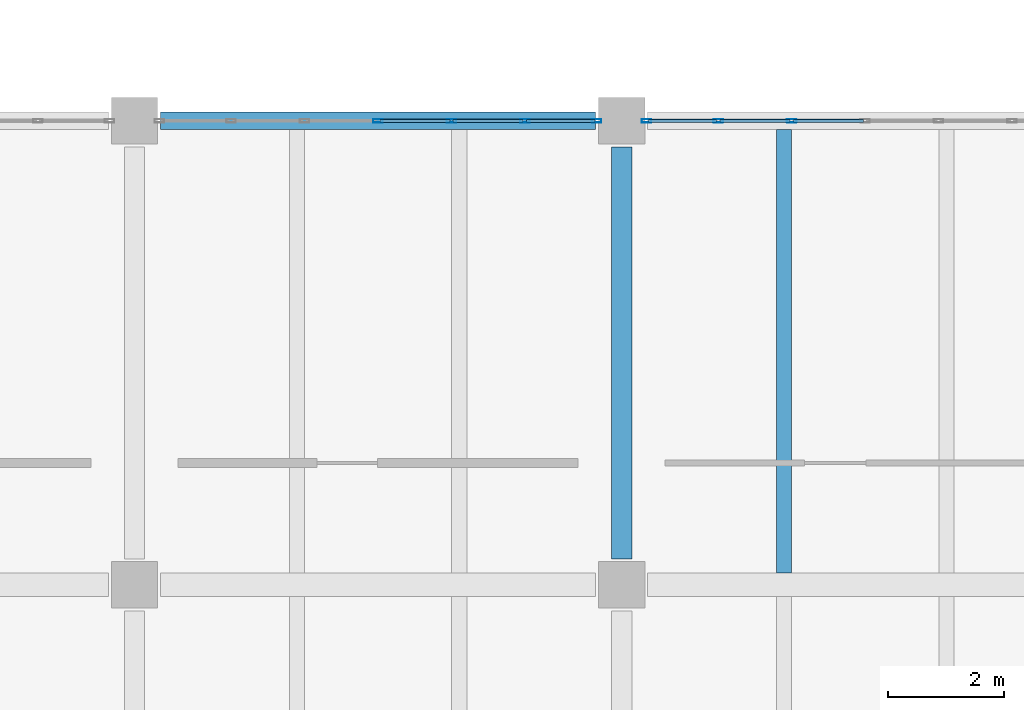
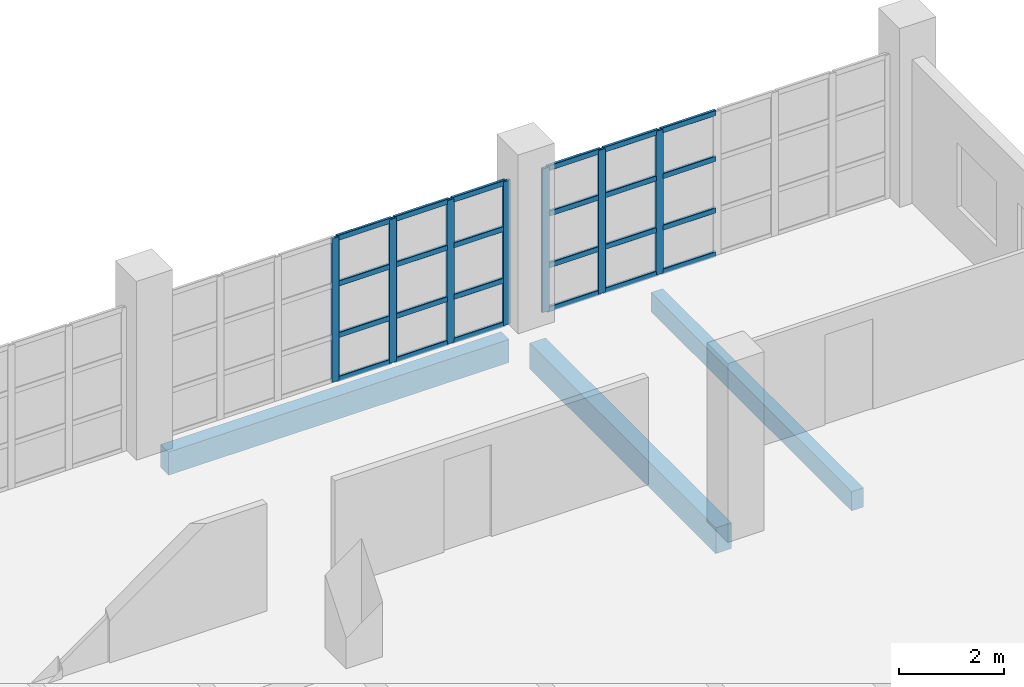
# One storey, part 47 of 177: 31 members, 3 beams, 2 elements without a shape of their own.
"""IFC4 building model written with IfcOpenShell, lengths in metres."""

from ifc_helpers import new_model, si_unit, direction, frame, origin, origin_2d, place, context, subcontext, project, spatial, rectangle, hollow_rectangle, extrude, material, layer, layer_set, material_profile, profile_set, type_object, element, aggregate, save


model = new_model("IFC4")

# Units and contexts
model_context = context("Model", 3, precision=1e-05, world=origin(), true_north=direction((0.0, 1.0)))
body_context = subcontext(model_context, "Body", "Model", "MODEL_VIEW")
ifc_project = project(units=[si_unit("LENGTHUNIT", "METRE"), si_unit("AREAUNIT", "SQUARE_METRE"), si_unit("VOLUMEUNIT", "CUBIC_METRE"), si_unit("PLANEANGLEUNIT", "RADIAN"), si_unit("MASSUNIT", "GRAM", prefix="KILO"), si_unit("THERMODYNAMICTEMPERATUREUNIT", "KELVIN"), si_unit("POWERUNIT", "WATT")], contexts=[model_context])

# Site, building, storey
site_placement = place(None, origin())
site = spatial("IfcSite", under=ifc_project, at=site_placement, CompositionType="ELEMENT")
building_placement = place(site_placement, origin())
building = spatial("IfcBuilding", under=site, at=building_placement, Name="Mavoryth Pier Ferry Terminal", CompositionType="ELEMENT")
storey_placement = place(building_placement, frame((0.0, 0.0, 5.43994140625)))
storey = spatial("IfcBuildingStorey", under=building, at=storey_placement, Name="L01", CompositionType="ELEMENT", Elevation=5.43994140625)

# Beams
ifc_material_1 = material(Name="Concrete C35/45", Category="concrete")
ifc_material_profile_1 = material_profile(ifc_material_1, rectangle(XDim=0.35009765625, YDim=0.60009765625, at=origin_2d()), Name="RC 350x600", Category="concrete")
ifc_profile_set_1 = profile_set([ifc_material_profile_1], Name="Concrete C35/45 - RC 350x600")
beam_type_1 = type_object("IfcBeamType", Name="Girder-RC-350x600", PredefinedType="BEAM", material=ifc_profile_set_1)
beam_1_placement = place(storey_placement, frame((84.0, 14.449951171875, -0.56005859375), z_axis=(0.0, 1.0, 0.0), x_axis=(-1.0, 0.0, 0.0)))
element("IfcBeam", 1, at=beam_1_placement, inside=storey, type_object=beam_type_1, Name="Beam B01-BG08-0551", PredefinedType="BEAM", context=body_context, shape_type="SweptSolid", body=[
    extrude(rectangle(XDim=0.35009765625, YDim=0.60009765625, at=origin_2d()), origin(), (0.0, 0.0, 1.0), 7.10009765625),
])
ifc_material_profile_2 = material_profile(ifc_material_1, rectangle(XDim=0.260009765625, YDim=0.449951171875, at=origin_2d()), Name="RC 260x450", Category="concrete")
ifc_profile_set_2 = profile_set([ifc_material_profile_2], Name="Concrete C35/45 - RC 260x450")
beam_type_2 = type_object("IfcBeamType", Name="Joist-RC-260x450", PredefinedType="JOIST", material=ifc_profile_set_2)
beam_2_placement = place(storey_placement, frame((86.800048828125, 14.199951171875, -0.48486328125), z_axis=(0.0, 1.0, 0.0), x_axis=(-1.0, 0.0, 0.0)))
element("IfcBeam", 2, at=beam_2_placement, inside=storey, type_object=beam_type_2, Name="Beam B01-BJ03-0585", PredefinedType="JOIST", context=body_context, shape_type="SweptSolid", body=[
    extrude(rectangle(XDim=0.260009765625, YDim=0.449951171875, at=origin_2d()), origin(), (0.0, 0.0, 1.0), 7.650146484375),
])

# Curtain wall, members
ifc_material_2 = material(Name="Anodised Aluminium and Solar-Control Low-E Glass", Category="aluminium")
ifc_layer = layer(ifc_material_2, 0.239990234375, Name="Anodised Aluminium and Solar-Control Low-E Glass", Category="aluminium")
ifc_layer_set = layer_set([ifc_layer], Name="Anodised Aluminium and Solar-Control Low-E Glass - CW-Operations-Mod1200")
curtain_wall_type = type_object("IfcCurtainWallType", Name="CW-Operations-Mod1200", PredefinedType="USERDEFINED", material=ifc_layer_set)
curtain_wall_1_placement = place(storey_placement, origin())
curtain_wall_1 = element("IfcCurtainWall", 3, at=curtain_wall_1_placement, inside=storey, type_object=curtain_wall_type, Name="Curtain Wall CW-0122-117", ObjectType="UNITISED CURTAIN WALL", PredefinedType="USERDEFINED")
ifc_material_3 = material(Name="Anodised Aluminium EN AW-6063", Category="aluminium")
ifc_material_profile_3 = material_profile(ifc_material_3, hollow_rectangle(XDim=0.06005859375, YDim=0.1650390625, WallThickness=0.00390625, InnerFilletRadius=0.00390625, OuterFilletRadius=0.008056640625, at=origin_2d()), Name="AL-MULL 165x60x4", Category="aluminium")
ifc_profile_set_3 = profile_set([ifc_material_profile_3], Name="Anodised Aluminium EN AW-6063 - AL-MULL 165x60x4")
member_type_1 = type_object("IfcMemberType", Name="Mullion-Alum-165x60", PredefinedType="MULLION", material=ifc_profile_set_3)
member_1_placement = place(storey_placement, frame((83.570068359375, 22.0, 0.0), z_axis=(0.0, 0.0, 1.0), x_axis=(0.0, -1.0, 0.0)))
member_1 = element("IfcMember", 4, at=member_1_placement, type_object=member_type_1, Name="CW06 mullion 1", PredefinedType="MULLION", context=body_context, shape_type="SweptSolid", body=[
    extrude(hollow_rectangle(XDim=0.06005859375, YDim=0.1650390625, WallThickness=0.00390625, InnerFilletRadius=0.00390625, OuterFilletRadius=0.008056640625, at=origin_2d()), origin(), (0.0, 0.0, 1.0), 3.344970703125),
])
member_2_placement = place(storey_placement, frame((82.333251953125, 22.0, 0.0), z_axis=(0.0, 0.0, 1.0), x_axis=(0.0, -1.0, 0.0)))
member_2 = element("IfcMember", 5, at=member_2_placement, type_object=member_type_1, Name="CW06 mullion 2", PredefinedType="MULLION", context=body_context, shape_type="SweptSolid", body=[
    extrude(hollow_rectangle(XDim=0.06005859375, YDim=0.1650390625, WallThickness=0.00390625, InnerFilletRadius=0.00390625, OuterFilletRadius=0.008056640625, at=origin_2d()), origin(), (0.0, 0.0, 1.0), 3.344970703125),
])
member_3_placement = place(storey_placement, frame((81.066650390625, 22.0, 0.0), z_axis=(0.0, 0.0, 1.0), x_axis=(0.0, -1.0, 0.0)))
member_3 = element("IfcMember", 6, at=member_3_placement, type_object=member_type_1, Name="CW06 mullion 3", PredefinedType="MULLION", context=body_context, shape_type="SweptSolid", body=[
    extrude(hollow_rectangle(XDim=0.06005859375, YDim=0.1650390625, WallThickness=0.00390625, InnerFilletRadius=0.00390625, OuterFilletRadius=0.008056640625, at=origin_2d()), origin(), (0.0, 0.0, 1.0), 3.344970703125),
])
member_4_placement = place(storey_placement, frame((79.800048828125, 22.0, 0.0), z_axis=(0.0, 0.0, 1.0), x_axis=(0.0, -1.0, 0.0)))
member_4 = element("IfcMember", 7, at=member_4_placement, type_object=member_type_1, Name="CW06 mullion 4", PredefinedType="MULLION", context=body_context, shape_type="SweptSolid", body=[
    extrude(hollow_rectangle(XDim=0.06005859375, YDim=0.1650390625, WallThickness=0.00390625, InnerFilletRadius=0.00390625, OuterFilletRadius=0.008056640625, at=origin_2d()), origin(), (0.0, 0.0, 1.0), 3.344970703125),
])

curtain_wall_2_placement = place(storey_placement, origin())
curtain_wall_2 = element("IfcCurtainWall", 8, at=curtain_wall_2_placement, inside=storey, type_object=curtain_wall_type, Name="Curtain Wall CW-0122-119", ObjectType="UNITISED CURTAIN WALL", PredefinedType="USERDEFINED")
member_5_placement = place(storey_placement, frame((86.933349609375, 22.0, 0.0), z_axis=(0.0, 0.0, 1.0), x_axis=(0.0, -1.0, 0.0)))
member_5 = element("IfcMember", 9, at=member_5_placement, type_object=member_type_1, Name="CW06 mullion 5", PredefinedType="MULLION", context=body_context, shape_type="SweptSolid", body=[
    extrude(hollow_rectangle(XDim=0.06005859375, YDim=0.1650390625, WallThickness=0.00390625, InnerFilletRadius=0.00390625, OuterFilletRadius=0.008056640625, at=origin_2d()), origin(), (0.0, 0.0, 1.0), 3.344970703125),
])
member_6_placement = place(storey_placement, frame((85.666748046875, 22.0, 0.0), z_axis=(0.0, 0.0, 1.0), x_axis=(0.0, -1.0, 0.0)))
member_6 = element("IfcMember", 10, at=member_6_placement, type_object=member_type_1, Name="CW06 mullion 6", PredefinedType="MULLION", context=body_context, shape_type="SweptSolid", body=[
    extrude(hollow_rectangle(XDim=0.06005859375, YDim=0.1650390625, WallThickness=0.00390625, InnerFilletRadius=0.00390625, OuterFilletRadius=0.008056640625, at=origin_2d()), origin(), (0.0, 0.0, 1.0), 3.344970703125),
])
member_7_placement = place(storey_placement, frame((84.429931640625, 22.0, 0.0), z_axis=(0.0, 0.0, 1.0), x_axis=(0.0, -1.0, 0.0)))
member_7 = element("IfcMember", 11, at=member_7_placement, type_object=member_type_1, Name="CW06 mullion 7", PredefinedType="MULLION", context=body_context, shape_type="SweptSolid", body=[
    extrude(hollow_rectangle(XDim=0.06005859375, YDim=0.1650390625, WallThickness=0.00390625, InnerFilletRadius=0.00390625, OuterFilletRadius=0.008056640625, at=origin_2d()), origin(), (0.0, 0.0, 1.0), 3.344970703125),
])

# Beam
ifc_material_profile_4 = material_profile(ifc_material_1, rectangle(XDim=0.300048828125, YDim=0.5400390625, at=origin_2d()), Name="RC 300x540", Category="concrete")
ifc_profile_set_4 = profile_set([ifc_material_profile_4], Name="Concrete C35/45 - RC 300x540")
beam_type_3 = type_object("IfcBeamType", Name="Spandrel-RC-300x540", PredefinedType="SPANDREL", material=ifc_profile_set_4)
beam_3_placement = place(storey_placement, frame((76.050048828125, 22.0, -0.530029296875), z_axis=(1.0, 0.0, 0.0), x_axis=(0.0, 1.0, 0.0)))
element("IfcBeam", 12, at=beam_3_placement, inside=storey, type_object=beam_type_3, Name="Beam B01-SP02-0532", PredefinedType="SPANDREL", context=body_context, shape_type="SweptSolid", body=[
    extrude(rectangle(XDim=0.300048828125, YDim=0.5400390625, at=origin_2d()), origin(), (0.0, 0.0, 1.0), 7.5),
])

# Member
ifc_material_profile_5 = material_profile(ifc_material_3, hollow_rectangle(XDim=0.06005859375, YDim=0.125, WallThickness=0.00390625, InnerFilletRadius=0.00390625, OuterFilletRadius=0.008056640625, at=origin_2d()), Name="AL-TRAN 125x60x4", Category="aluminium")
ifc_profile_set_5 = profile_set([ifc_material_profile_5], Name="Anodised Aluminium EN AW-6063 - AL-TRAN 125x60x4")
member_type_2 = type_object("IfcMemberType", Name="Transom-Alum-125x60", PredefinedType="USERDEFINED", material=ifc_profile_set_5)
member_8_placement = place(storey_placement, frame((83.5400390625, 22.0, 0.030029296875), z_axis=(-1.0, 0.0, 0.0), x_axis=(0.0, -1.0, 0.0)))
member_8 = element("IfcMember", 13, at=member_8_placement, type_object=member_type_2, Name="CW06 transom 1.1", ObjectType="TRANSOM", PredefinedType="USERDEFINED", context=body_context, shape_type="SweptSolid", body=[
    extrude(hollow_rectangle(XDim=0.06005859375, YDim=0.125, WallThickness=0.00390625, InnerFilletRadius=0.00390625, OuterFilletRadius=0.008056640625, at=origin_2d()), origin(), (0.0, 0.0, 1.0), 1.1767578125),
])

member_9_placement = place(storey_placement, frame((83.5400390625, 22.0, 1.050048828125), z_axis=(-1.0, 0.0, 0.0), x_axis=(0.0, -1.0, 0.0)))
member_9 = element("IfcMember", 14, at=member_9_placement, type_object=member_type_2, Name="CW06 transom 1.2", ObjectType="TRANSOM", PredefinedType="USERDEFINED", context=body_context, shape_type="SweptSolid", body=[
    extrude(hollow_rectangle(XDim=0.06005859375, YDim=0.125, WallThickness=0.00390625, InnerFilletRadius=0.00390625, OuterFilletRadius=0.008056640625, at=origin_2d()), origin(), (0.0, 0.0, 1.0), 1.1767578125),
])

member_10_placement = place(storey_placement, frame((83.5400390625, 22.0, 2.25), z_axis=(-1.0, 0.0, 0.0), x_axis=(0.0, -1.0, 0.0)))
member_10 = element("IfcMember", 15, at=member_10_placement, type_object=member_type_2, Name="CW06 transom 1.3", ObjectType="TRANSOM", PredefinedType="USERDEFINED", context=body_context, shape_type="SweptSolid", body=[
    extrude(hollow_rectangle(XDim=0.06005859375, YDim=0.125, WallThickness=0.00390625, InnerFilletRadius=0.00390625, OuterFilletRadius=0.008056640625, at=origin_2d()), origin(), (0.0, 0.0, 1.0), 1.1767578125),
])

member_11_placement = place(storey_placement, frame((83.5400390625, 22.0, 3.31494140625), z_axis=(-1.0, 0.0, 0.0), x_axis=(0.0, -1.0, 0.0)))
member_11 = element("IfcMember", 16, at=member_11_placement, type_object=member_type_2, Name="CW06 transom 1.4", ObjectType="TRANSOM", PredefinedType="USERDEFINED", context=body_context, shape_type="SweptSolid", body=[
    extrude(hollow_rectangle(XDim=0.06005859375, YDim=0.125, WallThickness=0.00390625, InnerFilletRadius=0.00390625, OuterFilletRadius=0.008056640625, at=origin_2d()), origin(), (0.0, 0.0, 1.0), 1.1767578125),
])

member_12_placement = place(storey_placement, frame((82.30322265625, 22.0, 0.030029296875), z_axis=(-1.0, 0.0, 0.0), x_axis=(0.0, -1.0, 0.0)))
member_12 = element("IfcMember", 17, at=member_12_placement, type_object=member_type_2, Name="CW06 transom 2.1", ObjectType="TRANSOM", PredefinedType="USERDEFINED", context=body_context, shape_type="SweptSolid", body=[
    extrude(hollow_rectangle(XDim=0.06005859375, YDim=0.125, WallThickness=0.00390625, InnerFilletRadius=0.00390625, OuterFilletRadius=0.008056640625, at=origin_2d()), origin(), (0.0, 0.0, 1.0), 1.20654296875),
])

member_13_placement = place(storey_placement, frame((82.30322265625, 22.0, 1.050048828125), z_axis=(-1.0, 0.0, 0.0), x_axis=(0.0, -1.0, 0.0)))
member_13 = element("IfcMember", 18, at=member_13_placement, type_object=member_type_2, Name="CW06 transom 2.2", ObjectType="TRANSOM", PredefinedType="USERDEFINED", context=body_context, shape_type="SweptSolid", body=[
    extrude(hollow_rectangle(XDim=0.06005859375, YDim=0.125, WallThickness=0.00390625, InnerFilletRadius=0.00390625, OuterFilletRadius=0.008056640625, at=origin_2d()), origin(), (0.0, 0.0, 1.0), 1.20654296875),
])

member_14_placement = place(storey_placement, frame((82.30322265625, 22.0, 2.25), z_axis=(-1.0, 0.0, 0.0), x_axis=(0.0, -1.0, 0.0)))
member_14 = element("IfcMember", 19, at=member_14_placement, type_object=member_type_2, Name="CW06 transom 2.3", ObjectType="TRANSOM", PredefinedType="USERDEFINED", context=body_context, shape_type="SweptSolid", body=[
    extrude(hollow_rectangle(XDim=0.06005859375, YDim=0.125, WallThickness=0.00390625, InnerFilletRadius=0.00390625, OuterFilletRadius=0.008056640625, at=origin_2d()), origin(), (0.0, 0.0, 1.0), 1.20654296875),
])

member_15_placement = place(storey_placement, frame((82.30322265625, 22.0, 3.31494140625), z_axis=(-1.0, 0.0, 0.0), x_axis=(0.0, -1.0, 0.0)))
member_15 = element("IfcMember", 20, at=member_15_placement, type_object=member_type_2, Name="CW06 transom 2.4", ObjectType="TRANSOM", PredefinedType="USERDEFINED", context=body_context, shape_type="SweptSolid", body=[
    extrude(hollow_rectangle(XDim=0.06005859375, YDim=0.125, WallThickness=0.00390625, InnerFilletRadius=0.00390625, OuterFilletRadius=0.008056640625, at=origin_2d()), origin(), (0.0, 0.0, 1.0), 1.20654296875),
])

member_16_placement = place(storey_placement, frame((81.03662109375, 22.0, 0.030029296875), z_axis=(-1.0, 0.0, 0.0), x_axis=(0.0, -1.0, 0.0)))
member_16 = element("IfcMember", 21, at=member_16_placement, type_object=member_type_2, Name="CW06 transom 3.1", ObjectType="TRANSOM", PredefinedType="USERDEFINED", context=body_context, shape_type="SweptSolid", body=[
    extrude(hollow_rectangle(XDim=0.06005859375, YDim=0.125, WallThickness=0.00390625, InnerFilletRadius=0.00390625, OuterFilletRadius=0.008056640625, at=origin_2d()), origin(), (0.0, 0.0, 1.0), 1.20654296875),
])

member_17_placement = place(storey_placement, frame((81.03662109375, 22.0, 1.050048828125), z_axis=(-1.0, 0.0, 0.0), x_axis=(0.0, -1.0, 0.0)))
member_17 = element("IfcMember", 22, at=member_17_placement, type_object=member_type_2, Name="CW06 transom 3.2", ObjectType="TRANSOM", PredefinedType="USERDEFINED", context=body_context, shape_type="SweptSolid", body=[
    extrude(hollow_rectangle(XDim=0.06005859375, YDim=0.125, WallThickness=0.00390625, InnerFilletRadius=0.00390625, OuterFilletRadius=0.008056640625, at=origin_2d()), origin(), (0.0, 0.0, 1.0), 1.20654296875),
])

member_18_placement = place(storey_placement, frame((81.03662109375, 22.0, 2.25), z_axis=(-1.0, 0.0, 0.0), x_axis=(0.0, -1.0, 0.0)))
member_18 = element("IfcMember", 23, at=member_18_placement, type_object=member_type_2, Name="CW06 transom 3.3", ObjectType="TRANSOM", PredefinedType="USERDEFINED", context=body_context, shape_type="SweptSolid", body=[
    extrude(hollow_rectangle(XDim=0.06005859375, YDim=0.125, WallThickness=0.00390625, InnerFilletRadius=0.00390625, OuterFilletRadius=0.008056640625, at=origin_2d()), origin(), (0.0, 0.0, 1.0), 1.20654296875),
])

member_19_placement = place(storey_placement, frame((81.03662109375, 22.0, 3.31494140625), z_axis=(-1.0, 0.0, 0.0), x_axis=(0.0, -1.0, 0.0)))
member_19 = element("IfcMember", 24, at=member_19_placement, type_object=member_type_2, Name="CW06 transom 3.4", ObjectType="TRANSOM", PredefinedType="USERDEFINED", context=body_context, shape_type="SweptSolid", body=[
    extrude(hollow_rectangle(XDim=0.06005859375, YDim=0.125, WallThickness=0.00390625, InnerFilletRadius=0.00390625, OuterFilletRadius=0.008056640625, at=origin_2d()), origin(), (0.0, 0.0, 1.0), 1.20654296875),
])

aggregate(curtain_wall_1, [member_1, member_2, member_3, member_4, member_8, member_9, member_10, member_11, member_12, member_13, member_14, member_15, member_16, member_17, member_18, member_19])

member_20_placement = place(storey_placement, frame((88.169921875, 22.0, 0.030029296875), z_axis=(-1.0, 0.0, 0.0), x_axis=(0.0, -1.0, 0.0)))
member_20 = element("IfcMember", 25, at=member_20_placement, type_object=member_type_2, Name="CW06 transom 4.1", ObjectType="TRANSOM", PredefinedType="USERDEFINED", context=body_context, shape_type="SweptSolid", body=[
    extrude(hollow_rectangle(XDim=0.06005859375, YDim=0.125, WallThickness=0.00390625, InnerFilletRadius=0.00390625, OuterFilletRadius=0.008056640625, at=origin_2d()), origin(), (0.0, 0.0, 1.0), 1.20654296875),
])

member_21_placement = place(storey_placement, frame((88.169921875, 22.0, 1.050048828125), z_axis=(-1.0, 0.0, 0.0), x_axis=(0.0, -1.0, 0.0)))
member_21 = element("IfcMember", 26, at=member_21_placement, type_object=member_type_2, Name="CW06 transom 4.2", ObjectType="TRANSOM", PredefinedType="USERDEFINED", context=body_context, shape_type="SweptSolid", body=[
    extrude(hollow_rectangle(XDim=0.06005859375, YDim=0.125, WallThickness=0.00390625, InnerFilletRadius=0.00390625, OuterFilletRadius=0.008056640625, at=origin_2d()), origin(), (0.0, 0.0, 1.0), 1.20654296875),
])

member_22_placement = place(storey_placement, frame((88.169921875, 22.0, 2.25), z_axis=(-1.0, 0.0, 0.0), x_axis=(0.0, -1.0, 0.0)))
member_22 = element("IfcMember", 27, at=member_22_placement, type_object=member_type_2, Name="CW06 transom 4.3", ObjectType="TRANSOM", PredefinedType="USERDEFINED", context=body_context, shape_type="SweptSolid", body=[
    extrude(hollow_rectangle(XDim=0.06005859375, YDim=0.125, WallThickness=0.00390625, InnerFilletRadius=0.00390625, OuterFilletRadius=0.008056640625, at=origin_2d()), origin(), (0.0, 0.0, 1.0), 1.20654296875),
])

member_23_placement = place(storey_placement, frame((88.169921875, 22.0, 3.31494140625), z_axis=(-1.0, 0.0, 0.0), x_axis=(0.0, -1.0, 0.0)))
member_23 = element("IfcMember", 28, at=member_23_placement, type_object=member_type_2, Name="CW06 transom 4.4", ObjectType="TRANSOM", PredefinedType="USERDEFINED", context=body_context, shape_type="SweptSolid", body=[
    extrude(hollow_rectangle(XDim=0.06005859375, YDim=0.125, WallThickness=0.00390625, InnerFilletRadius=0.00390625, OuterFilletRadius=0.008056640625, at=origin_2d()), origin(), (0.0, 0.0, 1.0), 1.20654296875),
])

member_24_placement = place(storey_placement, frame((86.9033203125, 22.0, 0.030029296875), z_axis=(-1.0, 0.0, 0.0), x_axis=(0.0, -1.0, 0.0)))
member_24 = element("IfcMember", 29, at=member_24_placement, type_object=member_type_2, Name="CW06 transom 5.1", ObjectType="TRANSOM", PredefinedType="USERDEFINED", context=body_context, shape_type="SweptSolid", body=[
    extrude(hollow_rectangle(XDim=0.06005859375, YDim=0.125, WallThickness=0.00390625, InnerFilletRadius=0.00390625, OuterFilletRadius=0.008056640625, at=origin_2d()), origin(), (0.0, 0.0, 1.0), 1.20654296875),
])

member_25_placement = place(storey_placement, frame((86.9033203125, 22.0, 1.050048828125), z_axis=(-1.0, 0.0, 0.0), x_axis=(0.0, -1.0, 0.0)))
member_25 = element("IfcMember", 30, at=member_25_placement, type_object=member_type_2, Name="CW06 transom 5.2", ObjectType="TRANSOM", PredefinedType="USERDEFINED", context=body_context, shape_type="SweptSolid", body=[
    extrude(hollow_rectangle(XDim=0.06005859375, YDim=0.125, WallThickness=0.00390625, InnerFilletRadius=0.00390625, OuterFilletRadius=0.008056640625, at=origin_2d()), origin(), (0.0, 0.0, 1.0), 1.20654296875),
])

member_26_placement = place(storey_placement, frame((86.9033203125, 22.0, 2.25), z_axis=(-1.0, 0.0, 0.0), x_axis=(0.0, -1.0, 0.0)))
member_26 = element("IfcMember", 31, at=member_26_placement, type_object=member_type_2, Name="CW06 transom 5.3", ObjectType="TRANSOM", PredefinedType="USERDEFINED", context=body_context, shape_type="SweptSolid", body=[
    extrude(hollow_rectangle(XDim=0.06005859375, YDim=0.125, WallThickness=0.00390625, InnerFilletRadius=0.00390625, OuterFilletRadius=0.008056640625, at=origin_2d()), origin(), (0.0, 0.0, 1.0), 1.20654296875),
])

member_27_placement = place(storey_placement, frame((86.9033203125, 22.0, 3.31494140625), z_axis=(-1.0, 0.0, 0.0), x_axis=(0.0, -1.0, 0.0)))
member_27 = element("IfcMember", 32, at=member_27_placement, type_object=member_type_2, Name="CW06 transom 5.4", ObjectType="TRANSOM", PredefinedType="USERDEFINED", context=body_context, shape_type="SweptSolid", body=[
    extrude(hollow_rectangle(XDim=0.06005859375, YDim=0.125, WallThickness=0.00390625, InnerFilletRadius=0.00390625, OuterFilletRadius=0.008056640625, at=origin_2d()), origin(), (0.0, 0.0, 1.0), 1.20654296875),
])

member_28_placement = place(storey_placement, frame((85.63671875, 22.0, 0.030029296875), z_axis=(-1.0, 0.0, 0.0), x_axis=(0.0, -1.0, 0.0)))
member_28 = element("IfcMember", 33, at=member_28_placement, type_object=member_type_2, Name="CW06 transom 6.1", ObjectType="TRANSOM", PredefinedType="USERDEFINED", context=body_context, shape_type="SweptSolid", body=[
    extrude(hollow_rectangle(XDim=0.06005859375, YDim=0.125, WallThickness=0.00390625, InnerFilletRadius=0.00390625, OuterFilletRadius=0.008056640625, at=origin_2d()), origin(), (0.0, 0.0, 1.0), 1.1767578125),
])

member_29_placement = place(storey_placement, frame((85.63671875, 22.0, 1.050048828125), z_axis=(-1.0, 0.0, 0.0), x_axis=(0.0, -1.0, 0.0)))
member_29 = element("IfcMember", 34, at=member_29_placement, type_object=member_type_2, Name="CW06 transom 6.2", ObjectType="TRANSOM", PredefinedType="USERDEFINED", context=body_context, shape_type="SweptSolid", body=[
    extrude(hollow_rectangle(XDim=0.06005859375, YDim=0.125, WallThickness=0.00390625, InnerFilletRadius=0.00390625, OuterFilletRadius=0.008056640625, at=origin_2d()), origin(), (0.0, 0.0, 1.0), 1.1767578125),
])

member_30_placement = place(storey_placement, frame((85.63671875, 22.0, 2.25), z_axis=(-1.0, 0.0, 0.0), x_axis=(0.0, -1.0, 0.0)))
member_30 = element("IfcMember", 35, at=member_30_placement, type_object=member_type_2, Name="CW06 transom 6.3", ObjectType="TRANSOM", PredefinedType="USERDEFINED", context=body_context, shape_type="SweptSolid", body=[
    extrude(hollow_rectangle(XDim=0.06005859375, YDim=0.125, WallThickness=0.00390625, InnerFilletRadius=0.00390625, OuterFilletRadius=0.008056640625, at=origin_2d()), origin(), (0.0, 0.0, 1.0), 1.1767578125),
])

member_31_placement = place(storey_placement, frame((85.63671875, 22.0, 3.31494140625), z_axis=(-1.0, 0.0, 0.0), x_axis=(0.0, -1.0, 0.0)))
member_31 = element("IfcMember", 36, at=member_31_placement, type_object=member_type_2, Name="CW06 transom 6.4", ObjectType="TRANSOM", PredefinedType="USERDEFINED", context=body_context, shape_type="SweptSolid", body=[
    extrude(hollow_rectangle(XDim=0.06005859375, YDim=0.125, WallThickness=0.00390625, InnerFilletRadius=0.00390625, OuterFilletRadius=0.008056640625, at=origin_2d()), origin(), (0.0, 0.0, 1.0), 1.1767578125),
])

aggregate(curtain_wall_2, [member_5, member_6, member_7, member_20, member_21, member_22, member_23, member_24, member_25, member_26, member_27, member_28, member_29, member_30, member_31])

save(model, "model.ifc")
